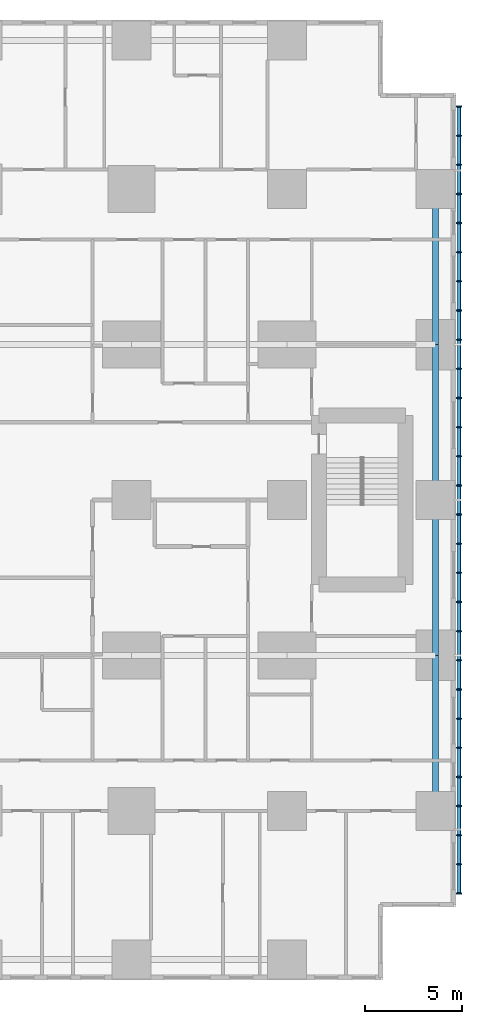
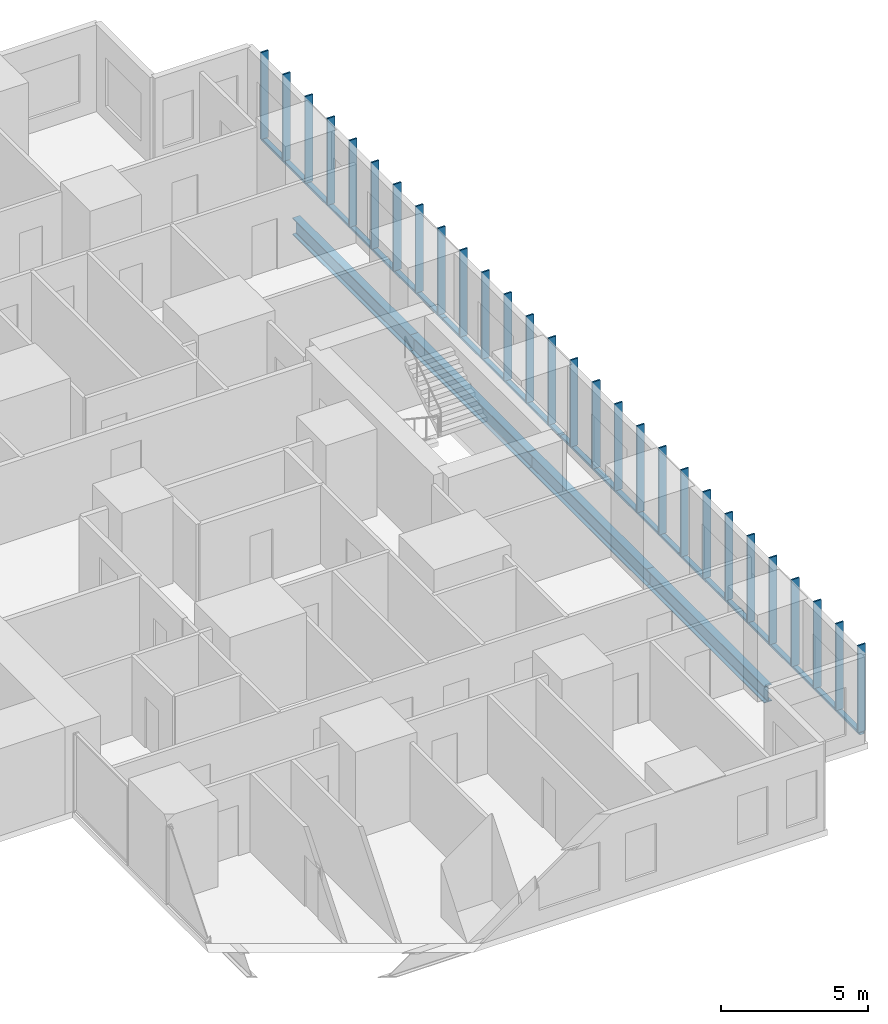
# One storey, part 6 of 20: 32 members, 4 beams.
"""IFC4 building model written with IfcOpenShell, lengths in metres."""

from ifc_helpers import new_model, si_unit, direction, frame, origin, origin_2d, place, context, subcontext, project, spatial, rectangle, hollow_rectangle, i_section, extrude, material, material_profile, profile_set, type_object, element, save


model = new_model("IFC4")

# Units and contexts
model_context = context("Model", 3, precision=1e-05, world=origin(), true_north=direction((0.0, 1.0)))
body_context = subcontext(model_context, "Body", "Model", "MODEL_VIEW")
ifc_project = project(units=[si_unit("LENGTHUNIT", "METRE"), si_unit("AREAUNIT", "SQUARE_METRE"), si_unit("VOLUMEUNIT", "CUBIC_METRE"), si_unit("PLANEANGLEUNIT", "RADIAN"), si_unit("MASSUNIT", "GRAM", prefix="KILO")], contexts=[model_context])

# Site, building, storey
site_placement = place(None, origin())
site = spatial("IfcSite", under=ifc_project, at=site_placement, CompositionType="ELEMENT")
building_placement = place(site_placement, origin())
building = spatial("IfcBuilding", under=site, at=building_placement, Name="Cleftline Residences", CompositionType="ELEMENT")
storey_placement = place(building_placement, frame((0.0, 0.0, 87.199951171875)))
storey = spatial("IfcBuildingStorey", under=building, at=storey_placement, Name="L22", CompositionType="ELEMENT", Elevation=87.199951171875)

# Members
ifc_material_1 = material(Name="Steel S355, hot-dip galvanised", Category="steel")
ifc_material_profile_1 = material_profile(ifc_material_1, hollow_rectangle(XDim=0.10009765625, YDim=0.199951171875, WallThickness=0.008056640625, InnerFilletRadius=0.008056640625, OuterFilletRadius=0.011962890625, at=origin_2d()))
ifc_profile_set_1 = profile_set([ifc_material_profile_1], Name="Steel S355, hot-dip galvanised")
member_type_1 = type_object("IfcMemberType", Name="BAGUETTE CARRIER RHS 200X100X8", PredefinedType="USERDEFINED", material=ifc_profile_set_1)
member_1_placement = place(storey_placement, frame((66.85009765625, 3.699951171875, -0.050048828125), z_axis=(0.0, 1.0, 0.0), x_axis=(0.0, 0.0, 1.0)))
element("IfcMember", 1, at=member_1_placement, inside=storey, type_object=member_type_1, Name="Baguette carrier", ObjectType="BAGUETTE CARRIER", PredefinedType="USERDEFINED", context=body_context, shape_type="SweptSolid", body=[
    extrude(hollow_rectangle(XDim=0.10009765625, YDim=0.199951171875, WallThickness=0.008056640625, InnerFilletRadius=0.008056640625, OuterFilletRadius=0.011962890625, at=origin_2d()), origin(), (0.0, 0.0, 1.0), 12.300048828125),
])
for number, where, z_axis, x_axis, name in (
    (2, (66.85009765625, 16.0, -0.050048828125), (0.0, 1.0, 0.0), (0.0, 0.0, 1.0), "Baguette carrier"),
    (3, (66.85009765625, 24.0, -0.050048828125), (0.0, 1.0, 0.0), (0.0, 0.0, 1.0), "Baguette carrier"),
):
    element("IfcMember", number, at=place(storey_placement, frame(where, z_axis=z_axis, x_axis=x_axis)), inside=storey, type_object=member_type_1, Name=name, ObjectType="BAGUETTE CARRIER", PredefinedType="USERDEFINED", context=body_context, shape_type="SweptSolid", body=[
        extrude(hollow_rectangle(XDim=0.10009765625, YDim=0.199951171875, WallThickness=0.008056640625, InnerFilletRadius=0.008056640625, OuterFilletRadius=0.011962890625, at=origin_2d()), origin(), (0.0, 0.0, 1.0), 8.0),
    ])
member_2_placement = place(storey_placement, frame((66.85009765625, 32.0, -0.050048828125), z_axis=(0.0, 1.0, 0.0), x_axis=(0.0, 0.0, 1.0)))
element("IfcMember", 4, at=member_2_placement, inside=storey, type_object=member_type_1, Name="Baguette carrier", ObjectType="BAGUETTE CARRIER", PredefinedType="USERDEFINED", context=body_context, shape_type="SweptSolid", body=[
    extrude(hollow_rectangle(XDim=0.10009765625, YDim=0.199951171875, WallThickness=0.008056640625, InnerFilletRadius=0.008056640625, OuterFilletRadius=0.011962890625, at=origin_2d()), origin(), (0.0, 0.0, 1.0), 12.300048828125),
])

# Beams
ifc_material_2 = material(Name="Steel S355", Category="steel")
ifc_material_profile_2 = material_profile(ifc_material_2, i_section(OverallWidth=0.300048828125, OverallDepth=0.699951171875, WebThickness=0.01708984375, FlangeThickness=0.031982421875, FilletRadius=0.027099609375, at=origin_2d()))
ifc_profile_set_2 = profile_set([ifc_material_profile_2], Name="Steel S355")
beam_type = type_object("IfcBeamType", Name="BEAM HEB 700", PredefinedType="BEAM", material=ifc_profile_set_2)
for number, where, z_axis, x_axis, name in (
    (5, (65.64990234375, 8.0, -0.599853515625), (0.0, 1.0, 0.0), (-1.0, 0.0, 0.0), "Edge beam"),
    (6, (65.64990234375, 16.0, -0.599853515625), (0.0, 1.0, 0.0), (-1.0, 0.0, 0.0), "Edge beam"),
    (7, (65.64990234375, 24.0, -0.599853515625), (0.0, 1.0, 0.0), (-1.0, 0.0, 0.0), "Edge beam"),
    (8, (65.64990234375, 32.0, -0.599853515625), (0.0, 1.0, 0.0), (-1.0, 0.0, 0.0), "Edge beam"),
):
    element("IfcBeam", number, at=place(storey_placement, frame(where, z_axis=z_axis, x_axis=x_axis)), inside=storey, type_object=beam_type, Name=name, PredefinedType="BEAM", context=body_context, shape_type="SweptSolid", body=[
        extrude(i_section(OverallWidth=0.300048828125, OverallDepth=0.699951171875, WebThickness=0.01708984375, FlangeThickness=0.031982421875, FilletRadius=0.027099609375, at=origin_2d()), origin(), (0.0, 0.0, 1.0), 8.0),
    ])

# Members
ifc_material_3 = material(Name="Extruded terracotta", Category="masonry")
ifc_material_profile_3 = material_profile(ifc_material_3, rectangle(XDim=0.06005859375, YDim=0.300048828125, at=origin_2d()))
ifc_profile_set_3 = profile_set([ifc_material_profile_3], Name="Extruded terracotta")
member_type_2 = type_object("IfcMemberType", Name="TERRACOTTA BAGUETTE 60X300", PredefinedType="USERDEFINED", material=ifc_profile_set_3)
for number, where, z_axis, x_axis, name in (
    (9, (66.85009765625, 3.75, 0.0), (0.0, 0.0, 1.0), (0.0, 1.0, 0.0), "Terracotta baguette"),
    (10, (66.85009765625, 5.25, 0.0), (0.0, 0.0, 1.0), (0.0, 1.0, 0.0), "Terracotta baguette"),
    (11, (66.85009765625, 6.75, 0.0), (0.0, 0.0, 1.0), (0.0, 1.0, 0.0), "Terracotta baguette"),
    (12, (66.85009765625, 8.25, 0.0), (0.0, 0.0, 1.0), (0.0, 1.0, 0.0), "Terracotta baguette"),
    (13, (66.85009765625, 9.75, 0.0), (0.0, 0.0, 1.0), (0.0, 1.0, 0.0), "Terracotta baguette"),
    (14, (66.85009765625, 11.25, 0.0), (0.0, 0.0, 1.0), (0.0, 1.0, 0.0), "Terracotta baguette"),
    (15, (66.85009765625, 12.75, 0.0), (0.0, 0.0, 1.0), (0.0, 1.0, 0.0), "Terracotta baguette"),
    (16, (66.85009765625, 14.25, 0.0), (0.0, 0.0, 1.0), (0.0, 1.0, 0.0), "Terracotta baguette"),
    (17, (66.85009765625, 15.75, 0.0), (0.0, 0.0, 1.0), (0.0, 1.0, 0.0), "Terracotta baguette"),
    (18, (66.85009765625, 17.25, 0.0), (0.0, 0.0, 1.0), (0.0, 1.0, 0.0), "Terracotta baguette"),
    (19, (66.85009765625, 18.75, 0.0), (0.0, 0.0, 1.0), (0.0, 1.0, 0.0), "Terracotta baguette"),
    (20, (66.85009765625, 20.25, 0.0), (0.0, 0.0, 1.0), (0.0, 1.0, 0.0), "Terracotta baguette"),
    (21, (66.85009765625, 21.75, 0.0), (0.0, 0.0, 1.0), (0.0, 1.0, 0.0), "Terracotta baguette"),
    (22, (66.85009765625, 23.25, 0.0), (0.0, 0.0, 1.0), (0.0, 1.0, 0.0), "Terracotta baguette"),
    (23, (66.85009765625, 24.75, 0.0), (0.0, 0.0, 1.0), (0.0, 1.0, 0.0), "Terracotta baguette"),
    (24, (66.85009765625, 26.25, 0.0), (0.0, 0.0, 1.0), (0.0, 1.0, 0.0), "Terracotta baguette"),
    (25, (66.85009765625, 27.75, 0.0), (0.0, 0.0, 1.0), (0.0, 1.0, 0.0), "Terracotta baguette"),
    (26, (66.85009765625, 29.25, 0.0), (0.0, 0.0, 1.0), (0.0, 1.0, 0.0), "Terracotta baguette"),
    (27, (66.85009765625, 30.75, 0.0), (0.0, 0.0, 1.0), (0.0, 1.0, 0.0), "Terracotta baguette"),
    (28, (66.85009765625, 32.25, 0.0), (0.0, 0.0, 1.0), (0.0, 1.0, 0.0), "Terracotta baguette"),
    (29, (66.85009765625, 33.75, 0.0), (0.0, 0.0, 1.0), (0.0, 1.0, 0.0), "Terracotta baguette"),
    (30, (66.85009765625, 35.25, 0.0), (0.0, 0.0, 1.0), (0.0, 1.0, 0.0), "Terracotta baguette"),
    (31, (66.85009765625, 36.75, 0.0), (0.0, 0.0, 1.0), (0.0, 1.0, 0.0), "Terracotta baguette"),
    (32, (66.85009765625, 38.25, 0.0), (0.0, 0.0, 1.0), (0.0, 1.0, 0.0), "Terracotta baguette"),
    (33, (66.85009765625, 39.75, 0.0), (0.0, 0.0, 1.0), (0.0, 1.0, 0.0), "Terracotta baguette"),
    (34, (66.85009765625, 41.25, 0.0), (0.0, 0.0, 1.0), (0.0, 1.0, 0.0), "Terracotta baguette"),
    (35, (66.85009765625, 42.75, 0.0), (0.0, 0.0, 1.0), (0.0, 1.0, 0.0), "Terracotta baguette"),
    (36, (66.85009765625, 44.25, 0.0), (0.0, 0.0, 1.0), (0.0, 1.0, 0.0), "Terracotta baguette"),
):
    element("IfcMember", number, at=place(storey_placement, frame(where, z_axis=z_axis, x_axis=x_axis)), inside=storey, type_object=member_type_2, Name=name, ObjectType="BAGUETTE", PredefinedType="USERDEFINED", context=body_context, shape_type="SweptSolid", body=[
        extrude(rectangle(XDim=0.06005859375, YDim=0.300048828125, at=origin_2d()), origin(), (0.0, 0.0, 1.0), 3.60009765625),
    ])

save(model, "model.ifc")
